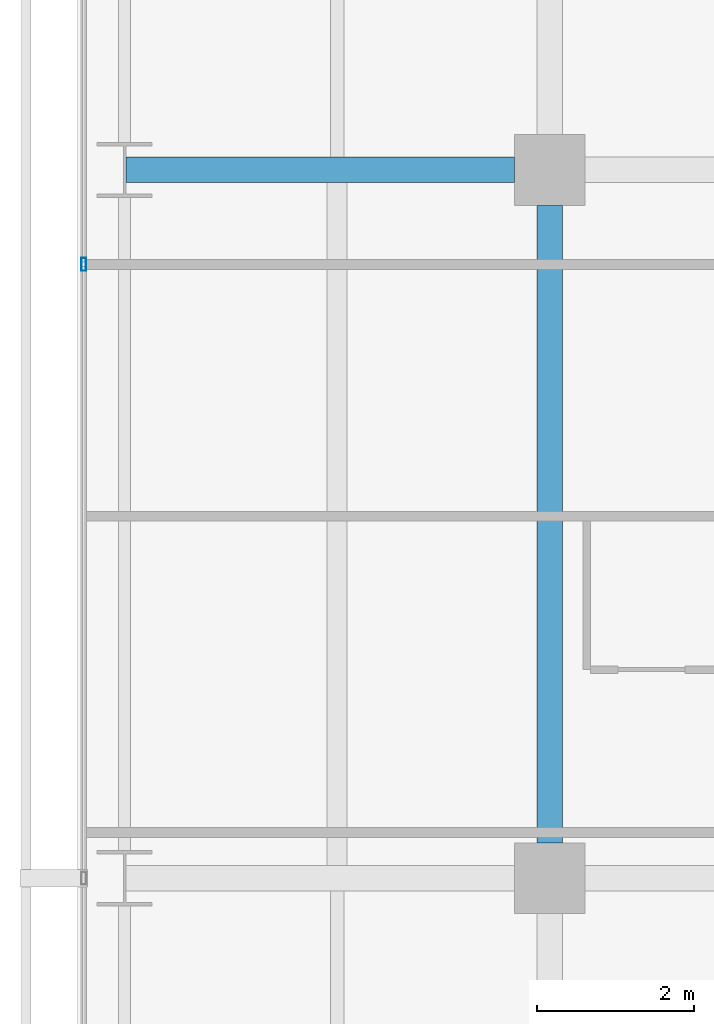
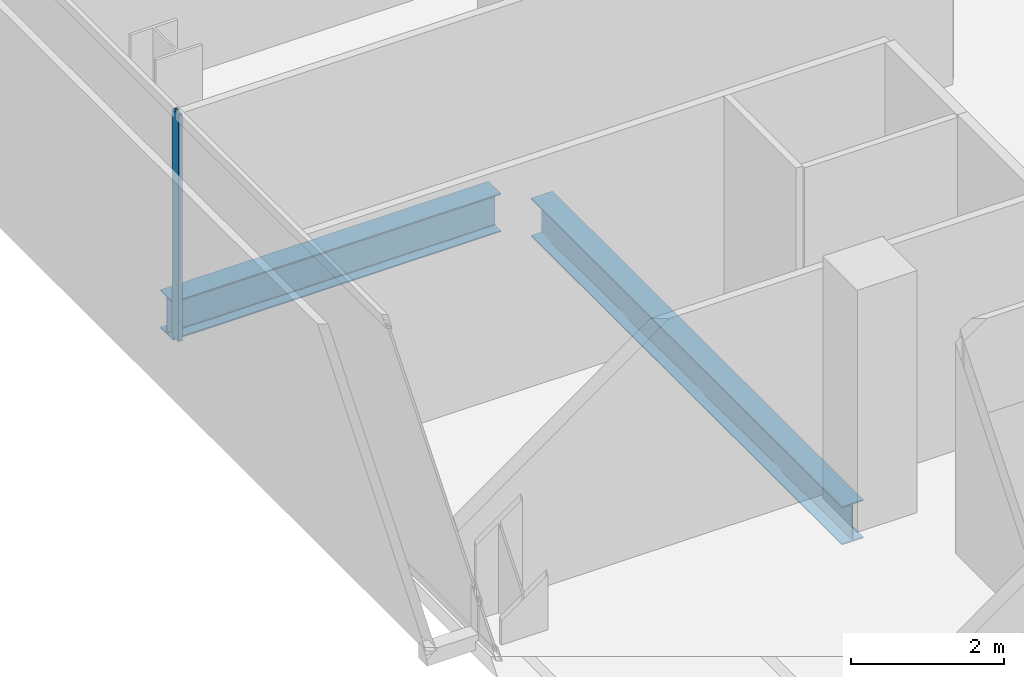
# One storey, part 21 of 41: 2 beams, 1 member, 1 element without a shape of its own.
"""IFC4 building model written with IfcOpenShell, lengths in metres."""

from ifc_helpers import new_model, si_unit, direction, frame, origin, origin_2d, place, context, subcontext, project, spatial, hollow_rectangle, i_section, extrude, material, layer, layer_set, material_profile, profile_set, type_object, element, aggregate, save


model = new_model("IFC4")

# Units and contexts
model_context = context("Model", 3, precision=1e-05, world=origin(), true_north=direction((0.0, 1.0)))
body_context = subcontext(model_context, "Body", "Model", "MODEL_VIEW")
ifc_project = project(units=[si_unit("LENGTHUNIT", "METRE"), si_unit("AREAUNIT", "SQUARE_METRE"), si_unit("VOLUMEUNIT", "CUBIC_METRE"), si_unit("PLANEANGLEUNIT", "RADIAN"), si_unit("MASSUNIT", "GRAM", prefix="KILO")], contexts=[model_context])

# Site, building, storey
site_placement = place(None, origin())
site = spatial("IfcSite", under=ifc_project, at=site_placement, CompositionType="ELEMENT")
building_placement = place(site_placement, origin())
building = spatial("IfcBuilding", under=site, at=building_placement, Name="Maruvema Waterfront Hotel and Observation Tower", CompositionType="ELEMENT")
storey_placement = place(building_placement, frame((0.0, 0.0, 84.699951171875)))
storey = spatial("IfcBuildingStorey", under=building, at=storey_placement, Name="L20", CompositionType="ELEMENT", Elevation=84.699951171875)

# Curtain wall, member
ifc_material_1 = material(Name="Anodised bronze aluminium and solar-control low-E IGU", Category="aluminium")
ifc_layer = layer(ifc_material_1, 0.159912109375, Name="Zone 1 Bronze Inner Thermal Curtain Wall System CW-02")
ifc_layer_set = layer_set([ifc_layer], Name="Anodised bronze aluminium and solar-control low-E IGU")
curtain_wall_type = type_object("IfcCurtainWallType", Name="Zone 1 Bronze Inner Thermal Curtain Wall System CW-02", PredefinedType="USERDEFINED", material=ifc_layer_set)
curtain_wall_placement = place(storey_placement, origin())
curtain_wall = element("IfcCurtainWall", 1, at=curtain_wall_placement, inside=storey, type_object=curtain_wall_type, Name="L20 Curtain Wall CW-L20-W", ObjectType="UNITISED CURTAIN WALL", PredefinedType="USERDEFINED")
ifc_material_2 = material(Name="Anodised architectural bronze aluminium", Category="aluminium")
ifc_material_profile_1 = material_profile(ifc_material_2, hollow_rectangle(XDim=0.06494140625, YDim=0.1650390625, WallThickness=0.00390625, at=origin_2d()), Name="ALU-M65x165")
ifc_profile_set_1 = profile_set([ifc_material_profile_1], Name="Anodised architectural bronze aluminium")
member_type = type_object("IfcMemberType", Name="Curtain Wall Primary Mullion ALU-M65x165", PredefinedType="MULLION", material=ifc_profile_set_1)
member_placement = place(storey_placement, frame((10.8798828125, 34.800048828125, 0.0), z_axis=(0.0, 0.0, 1.0), x_axis=(1.0, 0.0, 0.0)))
member = element("IfcMember", 2, at=member_placement, type_object=member_type, Name="CW-02 mullion 3", PredefinedType="MULLION", context=body_context, shape_type="SweptSolid", body=[
    extrude(hollow_rectangle(XDim=0.06494140625, YDim=0.1650390625, WallThickness=0.00390625, at=origin_2d()), origin(), (0.0, 0.0, 1.0), 3.610107421875),
])
aggregate(curtain_wall, [member])

# Beams
ifc_material_3 = material(Name="Steel ASTM A572 Grade 50", Category="steel")
ifc_material_profile_2 = material_profile(ifc_material_3, i_section(OverallWidth=0.323974609375, OverallDepth=0.611083984375, WebThickness=0.0126953125, FlangeThickness=0.01904296875, FilletRadius=0.01806640625, at=origin_2d()), Name="W610x155.0")
ifc_profile_set_2 = profile_set([ifc_material_profile_2], Name="Steel ASTM A572 Grade 50")
beam_type = type_object("IfcBeamType", Name="Primary Floor Girder W610x155.0", PredefinedType="BEAM", material=ifc_profile_set_2)
beam_1_placement = place(storey_placement, frame((11.4140625, 36.0, -0.54541015625), z_axis=(1.0, 0.0, 0.0), x_axis=(0.0, 1.0, 0.0)))
element("IfcBeam", 3, at=beam_1_placement, inside=storey, type_object=beam_type, Name="L20 Floor Girder EW-25", PredefinedType="BEAM", context=body_context, shape_type="SweptSolid", body=[
    extrude(i_section(OverallWidth=0.323974609375, OverallDepth=0.611083984375, WebThickness=0.0126953125, FlangeThickness=0.01904296875, FilletRadius=0.01806640625, at=origin_2d()), origin(), (0.0, 0.0, 1.0), 4.93603515625),
])
beam_2_placement = place(storey_placement, frame((16.800048828125, 27.449951171875, -0.54541015625), z_axis=(0.0, 1.0, 0.0), x_axis=(-1.0, 0.0, 0.0)))
element("IfcBeam", 4, at=beam_2_placement, inside=storey, type_object=beam_type, Name="L20 Floor Girder NS-08", PredefinedType="BEAM", context=body_context, shape_type="SweptSolid", body=[
    extrude(i_section(OverallWidth=0.323974609375, OverallDepth=0.611083984375, WebThickness=0.0126953125, FlangeThickness=0.01904296875, FilletRadius=0.01806640625, at=origin_2d()), origin(), (0.0, 0.0, 1.0), 8.10009765625),
])

save(model, "model.ifc")
